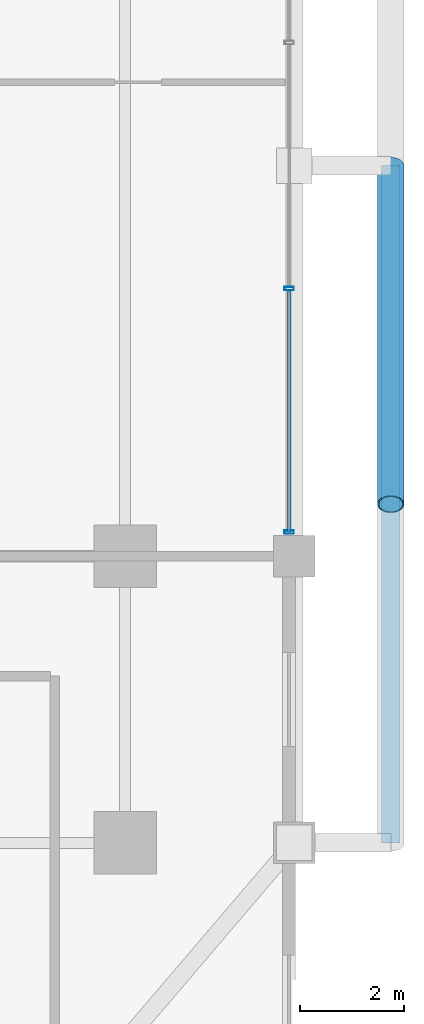
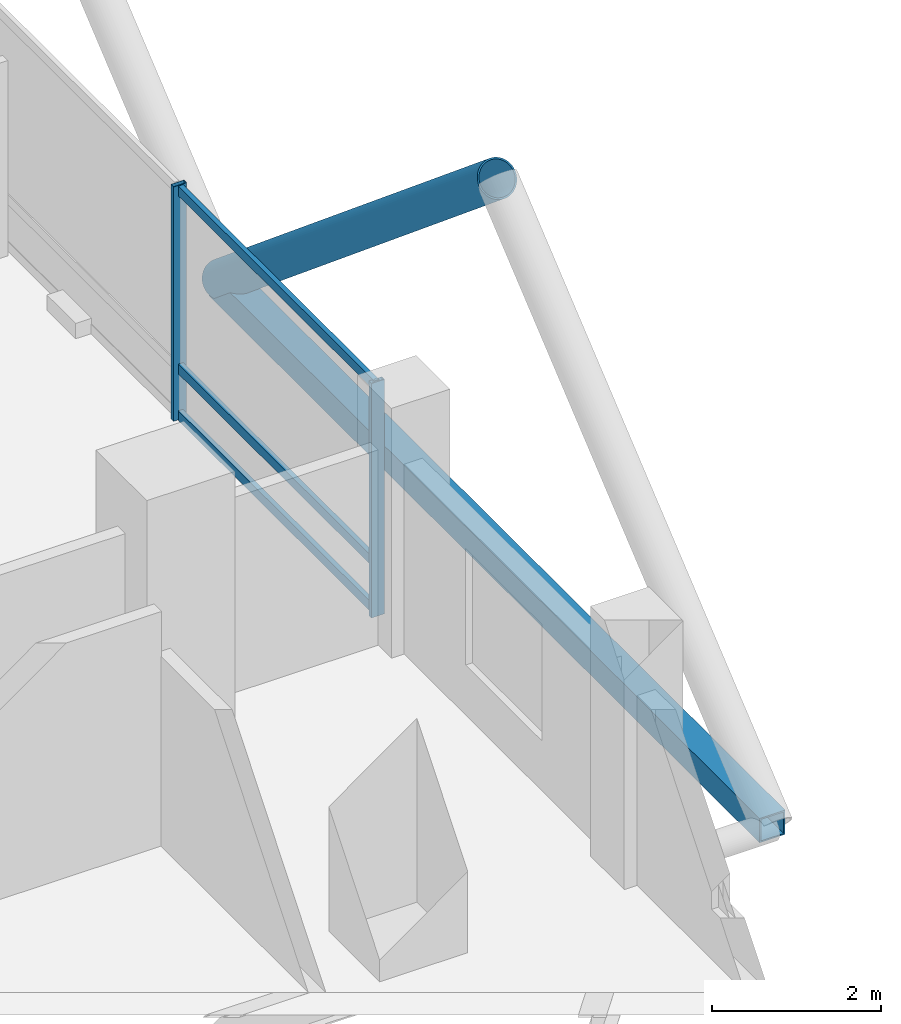
# One storey, part 9 of 25: 7 members, 1 element without a shape of its own.
"""IFC4 building model written with IfcOpenShell, lengths in metres."""

from ifc_helpers import new_model, si_unit, direction, frame, origin, origin_2d, place, context, subcontext, project, spatial, hollow_rectangle, hollow_circle, extrude, material, layer, layer_set, material_profile, profile_set, type_object, element, aggregate, save


model = new_model("IFC4")

# Units and contexts
model_context = context("Model", 3, precision=1e-05, world=origin(), true_north=direction((0.0, 1.0)))
body_context = subcontext(model_context, "Body", "Model", "MODEL_VIEW")
ifc_project = project(units=[si_unit("LENGTHUNIT", "METRE"), si_unit("AREAUNIT", "SQUARE_METRE"), si_unit("VOLUMEUNIT", "CUBIC_METRE"), si_unit("PLANEANGLEUNIT", "RADIAN"), si_unit("MASSUNIT", "GRAM", prefix="KILO")], contexts=[model_context])

# Site, building, storey
site_placement = place(None, origin())
site = spatial("IfcSite", under=ifc_project, at=site_placement, CompositionType="ELEMENT")
building_placement = place(site_placement, origin())
building = spatial("IfcBuilding", under=site, at=building_placement, Name="Barlavira Tower and Art Museum", CompositionType="ELEMENT")
storey_placement = place(building_placement, frame((0.0, 0.0, 144.0)))
storey = spatial("IfcBuildingStorey", under=building, at=storey_placement, Name="L36", CompositionType="ELEMENT", Elevation=144.0)

# Curtain wall, members
ifc_material_1 = material(Name="Low-iron coastal laminated glass", Category="glass")
ifc_layer = layer(ifc_material_1, 0.18994140625, Name="Low-iron coastal laminated glass")
ifc_layer_set = layer_set([ifc_layer], Name="Low-iron coastal laminated glass")
curtain_wall_type = type_object("IfcCurtainWallType", Name="Pale-Metal Unitised Curtain Wall Zone 2", PredefinedType="NOTDEFINED", material=ifc_layer_set)
curtain_wall_placement = place(storey_placement, origin())
curtain_wall = element("IfcCurtainWall", 1, at=curtain_wall_placement, inside=storey, type_object=curtain_wall_type, Name="L36 Curtain Wall CW2-L36-E-B3", PredefinedType="NOTDEFINED")
ifc_material_2 = material(Name="Pale anodised aluminium", Category="aluminium")
ifc_material_profile_1 = material_profile(ifc_material_2, hollow_rectangle(XDim=0.06494140625, YDim=0.179931640625, WallThickness=0.00390625, at=origin_2d()), Name="ALU-MULL 65x180x4")
ifc_profile_set_1 = profile_set([ifc_material_profile_1], Name="Pale anodised aluminium")
member_type_1 = type_object("IfcMemberType", Name="Curtain Wall Pale-Metal Mullion 65x180", PredefinedType="MULLION", material=ifc_profile_set_1)
member_1_placement = place(storey_placement, frame((20.14990234375, -7.034912109375, 0.0), z_axis=(0.0, 0.0, 1.0), x_axis=(0.0, 1.0, 0.0)))
member_1 = element("IfcMember", 2, at=member_1_placement, type_object=member_type_1, Name="CW2-L36-E-B3 Mullion 0", PredefinedType="MULLION", context=body_context, shape_type="SweptSolid", body=[
    extrude(hollow_rectangle(XDim=0.06494140625, YDim=0.179931640625, WallThickness=0.00390625, at=origin_2d()), origin(), (0.0, 0.0, 1.0), 3.3798828125),
])
member_2_placement = place(storey_placement, frame((20.14990234375, -2.360107421875, 0.0), z_axis=(0.0, 0.0, 1.0), x_axis=(0.0, 1.0, 0.0)))
member_2 = element("IfcMember", 3, at=member_2_placement, type_object=member_type_1, Name="CW2-L36-E-B3 Mullion 1", PredefinedType="MULLION", context=body_context, shape_type="SweptSolid", body=[
    extrude(hollow_rectangle(XDim=0.06494140625, YDim=0.179931640625, WallThickness=0.00390625, at=origin_2d()), origin(), (0.0, 0.0, 1.0), 3.3798828125),
])
ifc_material_profile_2 = material_profile(ifc_material_2, hollow_rectangle(XDim=0.06494140625, YDim=0.139892578125, WallThickness=0.00390625, at=origin_2d()), Name="ALU-TRAN 65x140x4")
ifc_profile_set_2 = profile_set([ifc_material_profile_2], Name="Pale anodised aluminium")
member_type_2 = type_object("IfcMemberType", Name="Curtain Wall Pale-Metal Transom 65x140", PredefinedType="USERDEFINED", material=ifc_profile_set_2)
member_3_placement = place(storey_placement, frame((20.14990234375, -7.034912109375, 0.070068359375), z_axis=(0.0, 1.0, 0.0), x_axis=(-1.0, 0.0, 0.0)))
member_3 = element("IfcMember", 4, at=member_3_placement, type_object=member_type_2, Name="CW2-L36-E-B3 Transom 0.1", ObjectType="TRANSOM", PredefinedType="USERDEFINED", context=body_context, shape_type="SweptSolid", body=[
    extrude(hollow_rectangle(XDim=0.06494140625, YDim=0.139892578125, WallThickness=0.00390625, at=origin_2d()), origin(), (0.0, 0.0, 1.0), 4.6298828125),
])
member_4_placement = place(storey_placement, frame((20.14990234375, -7.034912109375, 0.743896484375), z_axis=(0.0, 1.0, 0.0), x_axis=(-1.0, 0.0, 0.0)))
member_4 = element("IfcMember", 5, at=member_4_placement, type_object=member_type_2, Name="CW2-L36-E-B3 Transom 0.2", ObjectType="TRANSOM", PredefinedType="USERDEFINED", context=body_context, shape_type="SweptSolid", body=[
    extrude(hollow_rectangle(XDim=0.06494140625, YDim=0.139892578125, WallThickness=0.00390625, at=origin_2d()), origin(), (0.0, 0.0, 1.0), 4.6298828125),
])
member_5_placement = place(storey_placement, frame((20.14990234375, -7.034912109375, 3.31005859375), z_axis=(0.0, 1.0, 0.0), x_axis=(-1.0, 0.0, 0.0)))
member_5 = element("IfcMember", 6, at=member_5_placement, type_object=member_type_2, Name="CW2-L36-E-B3 Transom 0.3", ObjectType="TRANSOM", PredefinedType="USERDEFINED", context=body_context, shape_type="SweptSolid", body=[
    extrude(hollow_rectangle(XDim=0.06494140625, YDim=0.139892578125, WallThickness=0.00390625, at=origin_2d()), origin(), (0.0, 0.0, 1.0), 4.6298828125),
])
aggregate(curtain_wall, [member_1, member_2, member_3, member_4, member_5])

# Members
ifc_material_3 = material(Name="Steel S355", Category="steel")
ifc_material_profile_3 = material_profile(ifc_material_3, hollow_circle(Radius=0.25390625, WallThickness=0.022216796875, at=origin_2d()), Name="CHS 508.0x22.2")
ifc_profile_set_3 = profile_set([ifc_material_profile_3], Name="Steel S355")
member_type_3 = type_object("IfcMemberType", Name="Pale-Metal Exoskeleton Diagrid Tube CHS 508x22 Steel S355", PredefinedType="BRACE", material=ifc_profile_set_3)
member_6_placement = place(storey_placement, frame((22.10009765625, 0.0, -0.1201171875), z_axis=(0.0, -0.76918185268, 0.639029950399), x_axis=(1.0, 0.0, 0.0)))
element("IfcMember", 7, at=member_6_placement, inside=storey, type_object=member_type_3, Name="L36 Exoskeleton Diagrid Tube E", PredefinedType="BRACE", context=body_context, shape_type="SweptSolid", body=[
    extrude(hollow_circle(Radius=0.25390625, WallThickness=0.022216796875, at=origin_2d()), origin(), (0.0, 0.0, 1.0), 8.450439453125),
])
ifc_material_profile_4 = material_profile(ifc_material_3, hollow_rectangle(XDim=0.35009765625, YDim=0.35009765625, WallThickness=0.02001953125, at=origin_2d()), Name="SHS 350x350x20.0")
ifc_profile_set_4 = profile_set([ifc_material_profile_4], Name="Steel S355")
member_type_4 = type_object("IfcMemberType", Name="Pale-Metal Exoskeleton Ring Strut SHS 350x350x20 Steel S355", PredefinedType="STRUT", material=ifc_profile_set_4)
member_7_placement = place(storey_placement, frame((22.10009765625, -13.0, -0.1201171875), z_axis=(0.0, 1.0, 0.0), x_axis=(-1.0, 0.0, 0.0)))
element("IfcMember", 8, at=member_7_placement, inside=storey, type_object=member_type_4, Name="L36 Exoskeleton Ring Strut E", PredefinedType="STRUT", context=body_context, shape_type="SweptSolid", body=[
    extrude(hollow_rectangle(XDim=0.35009765625, YDim=0.35009765625, WallThickness=0.02001953125, at=origin_2d()), origin(), (0.0, 0.0, 1.0), 13.0),
])

save(model, "model.ifc")
